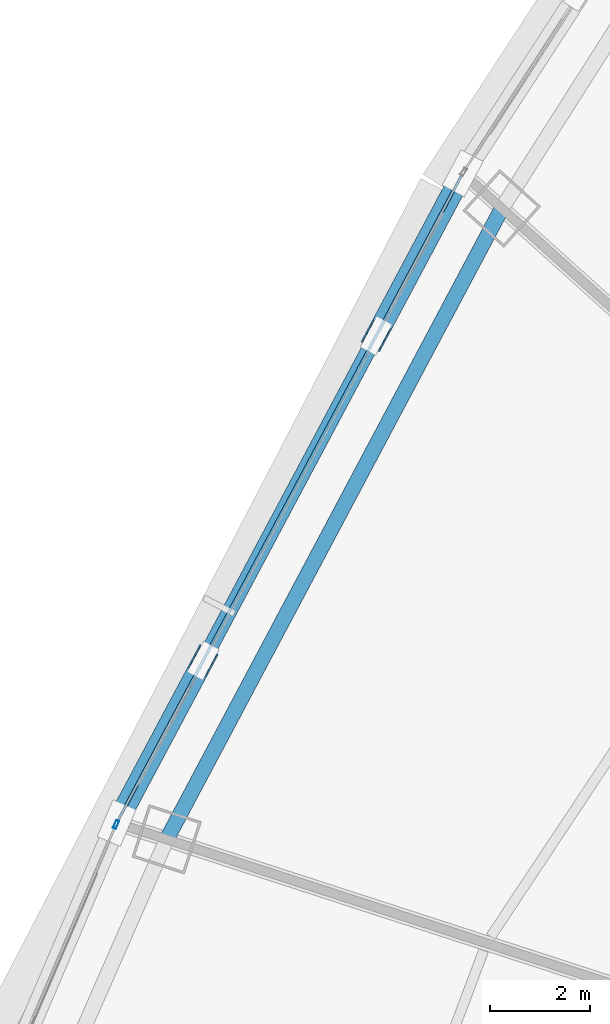
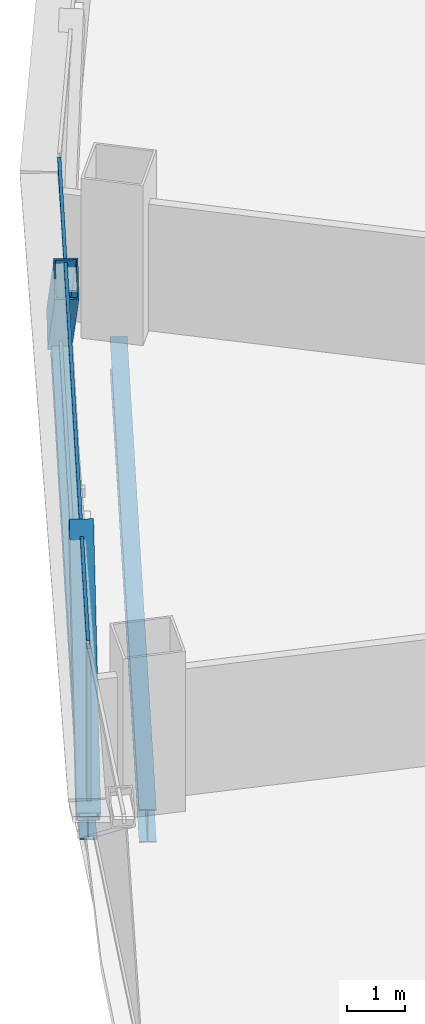
# One storey, part 14 of 41: 5 members, 2 beams, 2 elements without a shape of their own.
"""IFC4 building model written with IfcOpenShell, lengths in metres."""

from ifc_helpers import new_model, si_unit, direction, frame, origin, origin_2d, place, context, subcontext, project, spatial, hollow_rectangle, i_section, extrude, source, transform, mapped, material, layer, layer_set, material_profile, profile_set, type_object, element, aggregate, save


model = new_model("IFC4")

# Units and contexts
model_context = context("Model", 3, precision=1e-05, world=origin(), true_north=direction((0.0, 1.0)))
body_context = subcontext(model_context, "Body", "Model", "MODEL_VIEW")
ifc_project = project(units=[si_unit("LENGTHUNIT", "METRE"), si_unit("AREAUNIT", "SQUARE_METRE"), si_unit("VOLUMEUNIT", "CUBIC_METRE"), si_unit("PLANEANGLEUNIT", "RADIAN"), si_unit("MASSUNIT", "GRAM", prefix="KILO"), si_unit("THERMODYNAMICTEMPERATUREUNIT", "KELVIN"), si_unit("POWERUNIT", "WATT")], contexts=[model_context])

# Site, building, storey
site_placement = place(None, origin())
site = spatial("IfcSite", under=ifc_project, at=site_placement, CompositionType="ELEMENT")
building_placement = place(site_placement, origin())
building = spatial("IfcBuilding", under=site, at=building_placement, Name="Yunzhuo Pagoda Commons", CompositionType="ELEMENT")
storey_placement = place(building_placement, frame((0.0, 0.0, 63.070068359375)))
storey = spatial("IfcBuildingStorey", under=building, at=storey_placement, Name="L16", CompositionType="ELEMENT", Elevation=63.070068359375)

# Beams
ifc_material_1 = material(Name="Structural steel Q355B", Category="steel")
ifc_material_profile_1 = material_profile(ifc_material_1, i_section(OverallWidth=0.300048828125, OverallDepth=0.699951171875, WebThickness=0.012939453125, FlangeThickness=0.02392578125, at=origin_2d()), Name="Structural steel Q355B")
ifc_profile_set_1 = profile_set([ifc_material_profile_1], Name="Structural steel Q355B")
beam_type_1 = type_object("IfcBeamType", Name="B-RG1 Beam HN 700x300x13x24", PredefinedType="BEAM", material=ifc_profile_set_1)
shared_shape_1 = source(origin(), body_context, "Body", "SweptSolid", [
    extrude(i_section(OverallWidth=0.300048828125, OverallDepth=0.699951171875, WebThickness=0.012939453125, FlangeThickness=0.02392578125, at=origin_2d()), origin(), (0.0, 0.0, 1.0), 14.25390625),
])
beam_1_placement = place(storey_placement, frame((22.351318359375, 56.79443359375, -0.610107421875), z_axis=(-0.469118073628, -0.883135455633, 0.0), x_axis=(0.883135455633, -0.469118073628, 0.0)))
element("IfcBeam", 1, at=beam_1_placement, inside=storey, type_object=beam_type_1, Name="L16 column-ring beam 10", PredefinedType="BEAM", context=body_context, shape_type="MappedRepresentation", body=[
    mapped(shared_shape_1, transform((0.0, 0.0, 0.0), scale=1.0)),
])
ifc_material_profile_2 = material_profile(ifc_material_1, i_section(OverallWidth=0.300048828125, OverallDepth=0.488037109375, WebThickness=0.010986328125, FlangeThickness=0.01806640625, at=origin_2d()), Name="Structural steel Q355B")
ifc_profile_set_2 = profile_set([ifc_material_profile_2], Name="Structural steel Q355B")
beam_type_2 = type_object("IfcBeamType", Name="B-SP1 Beam HM 488x300x11x18", PredefinedType="BEAM", material=ifc_profile_set_2)
shared_shape_2 = source(origin(), body_context, "Body", "SweptSolid", [
    extrude(i_section(OverallWidth=0.300048828125, OverallDepth=0.488037109375, WebThickness=0.010986328125, FlangeThickness=0.01806640625, at=origin_2d()), origin(), (0.0, 0.0, 1.0), 14.68994140625),
])
beam_2_placement = place(storey_placement, frame((21.571044921875, 57.496826171875, -0.504150390625), z_axis=(-0.470054191836, -0.882637556836, 0.0), x_axis=(0.882637556836, -0.470054191836, 0.0)))
element("IfcBeam", 2, at=beam_2_placement, inside=storey, type_object=beam_type_2, Name="L16 facade edge spandrel beam F3.2", PredefinedType="BEAM", context=body_context, shape_type="MappedRepresentation", body=[
    mapped(shared_shape_2, transform((0.0, 0.0, 0.0), scale=1.0)),
])

# Members
ifc_material_2 = material(Name="Structural steel Q420B", Category="steel")
ifc_material_profile_3 = material_profile(ifc_material_2, hollow_rectangle(XDim=0.419921875, YDim=0.719970703125, WallThickness=0.028076171875, at=origin_2d()), Name="Structural steel Q420B")
ifc_profile_set_3 = profile_set([ifc_material_profile_3], Name="Structural steel Q420B")
member_type_1 = type_object("IfcMemberType", Name="M-DL1 Brace BOX 720x420x28", PredefinedType="BRACE", material=ifc_profile_set_3)
shared_shape_3 = source(origin(), body_context, "Body", "SweptSolid", [
    extrude(hollow_rectangle(XDim=0.419921875, YDim=0.719970703125, WallThickness=0.028076171875, at=origin_2d()), origin(), (0.0, 0.0, 1.0), 5.16357421875),
])
for number, where, z_axis, x_axis, name in (
    (3, (21.571044921875, 57.496826171875, -0.260009765625), (-0.334321497525, -0.627745230185, 0.702968749144), (0.882630661501, -0.470067139224, 0.0), "L16 facade diamond brace F3.2L"),
    (4, (14.666015625, 44.531005859375, -0.260009765625), (0.334279500475, 0.627755152449, 0.702979860406), (-0.882658242348, 0.47001534785, 0.0), "L16 facade diamond brace F3.2R"),
):
    element("IfcMember", number, at=place(storey_placement, frame(where, z_axis=z_axis, x_axis=x_axis)), inside=storey, type_object=member_type_1, Name=name, PredefinedType="BRACE", context=body_context, shape_type="MappedRepresentation", body=[
        mapped(shared_shape_3, transform((0.0, 0.0, 0.0), scale=1.0)),
    ])

# Curtain wall, member
ifc_material_3 = material(Name="Anodized aluminium 6063-T6", Category="aluminium")
ifc_layer = layer(ifc_material_3, 0.1650390625)
ifc_layer_set = layer_set([ifc_layer], Name="Anodized aluminium 6063-T6")
curtain_wall_type = type_object("IfcCurtainWallType", Name="CW-LOW Low-Zone Ribbon Curtain Wall", PredefinedType="NOTDEFINED", material=ifc_layer_set)
curtain_wall_1_placement = place(storey_placement, origin())
curtain_wall_1 = element("IfcCurtainWall", 5, at=curtain_wall_1_placement, inside=storey, type_object=curtain_wall_type, Name="L16 curtain wall CW-L16-F3B4", PredefinedType="NOTDEFINED")
ifc_material_profile_4 = material_profile(ifc_material_3, hollow_rectangle(XDim=0.06494140625, YDim=0.1650390625, WallThickness=0.00390625, at=origin_2d()), Name="Anodized aluminium 6063-T6")
ifc_profile_set_4 = profile_set([ifc_material_profile_4], Name="Anodized aluminium 6063-T6")
member_type_2 = type_object("IfcMemberType", Name="CW-LOW-M Mullion RHS 165x65x4", PredefinedType="MULLION", material=ifc_profile_set_4)
shared_shape_4 = source(origin(), body_context, "Body", "SweptSolid", [
    extrude(hollow_rectangle(XDim=0.06494140625, YDim=0.1650390625, WallThickness=0.00390625, at=origin_2d()), origin(), (0.0, 0.0, 1.0), 3.369873046875),
])
member_1_placement = place(storey_placement, frame((14.653076171875, 44.5009765625, 0.0), z_axis=(0.0, 0.0, 1.0), x_axis=(0.919121093161, -0.39397514656, 0.0)))
member_1 = element("IfcMember", 6, at=member_1_placement, type_object=member_type_2, Name="CW mullion 1", PredefinedType="MULLION", context=body_context, shape_type="MappedRepresentation", body=[
    mapped(shared_shape_4, transform((0.0, 0.0, 0.0), scale=1.0)),
])
aggregate(curtain_wall_1, [member_1])

# Curtain wall, members
curtain_wall_2_placement = place(storey_placement, origin())
curtain_wall_2 = element("IfcCurtainWall", 7, at=curtain_wall_2_placement, inside=storey, type_object=curtain_wall_type, Name="L16 curtain wall CW-L16-F3B3", PredefinedType="NOTDEFINED")
ifc_material_profile_5 = material_profile(ifc_material_3, hollow_rectangle(XDim=0.06005859375, YDim=0.139892578125, WallThickness=0.00341796875, at=origin_2d()), Name="Anodized aluminium 6063-T6")
ifc_profile_set_5 = profile_set([ifc_material_profile_5], Name="Anodized aluminium 6063-T6")
member_type_3 = type_object("IfcMemberType", Name="CW-LOW-T Transom RHS 140x60x3.5", PredefinedType="USERDEFINED", material=ifc_profile_set_5)
shared_shape_5 = source(origin(), body_context, "Body", "SweptSolid", [
    extrude(hollow_rectangle(XDim=0.06005859375, YDim=0.139892578125, WallThickness=0.00341796875, at=origin_2d()), origin(), (0.0, 0.0, 1.0), 14.559814453125),
])
member_2_placement = place(storey_placement, frame((21.54052734375, 57.439453125, 0.030029296875), z_axis=(-0.470058129853, -0.882635459609, 0.0), x_axis=(0.882635459609, -0.470058129853, 0.0)))
member_2 = element("IfcMember", 8, at=member_2_placement, type_object=member_type_3, Name="CW transom 1.1", ObjectType="TRANSOM", PredefinedType="USERDEFINED", context=body_context, shape_type="MappedRepresentation", body=[
    mapped(shared_shape_5, transform((0.0, 0.0, 0.0), scale=1.0)),
])
member_3_placement = place(storey_placement, frame((21.54052734375, 57.439453125, 3.33984375), z_axis=(-0.470058129853, -0.882635459609, 0.0), x_axis=(0.882635459609, -0.470058129853, 0.0)))
member_3 = element("IfcMember", 9, at=member_3_placement, type_object=member_type_3, Name="CW transom 1.2", ObjectType="TRANSOM", PredefinedType="USERDEFINED", context=body_context, shape_type="MappedRepresentation", body=[
    mapped(shared_shape_5, transform((0.0, 0.0, 0.0), scale=1.0)),
])
aggregate(curtain_wall_2, [member_2, member_3])

save(model, "model.ifc")
